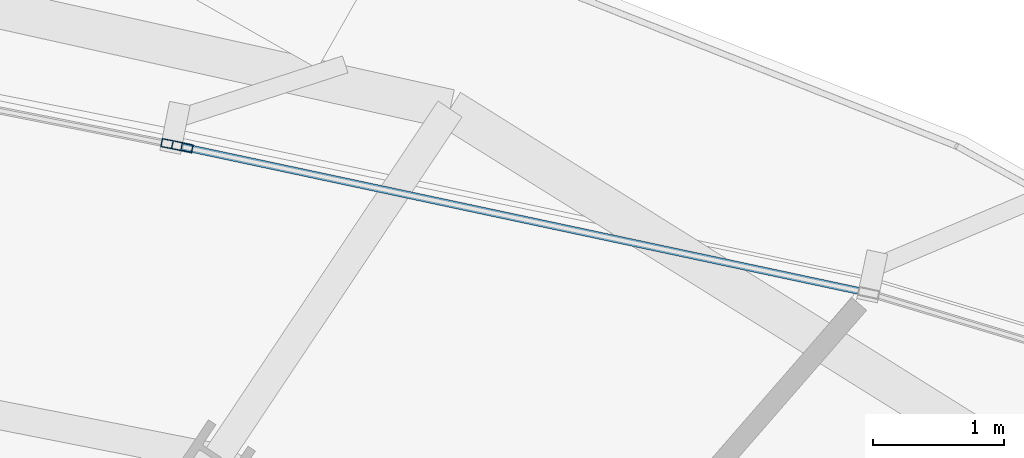
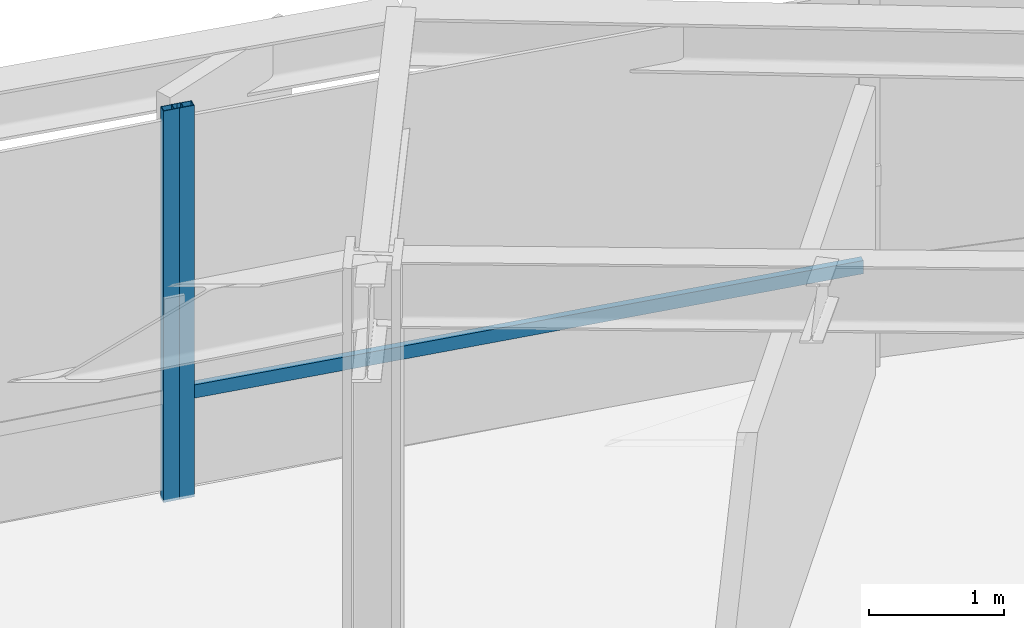
# One storey, part 23 of 37: 3 members, 2 elements without a shape of their own.
"""IFC4 building model written with IfcOpenShell, lengths in metres."""

from ifc_helpers import new_model, si_unit, direction, frame, origin, origin_2d, place, context, subcontext, project, spatial, hollow_rectangle, extrude, source, transform, mapped, material, layer, layer_set, material_profile, profile_set, type_object, element, aggregate, save


model = new_model("IFC4")

# Units and contexts
model_context = context("Model", 3, precision=1e-05, world=origin(), true_north=direction((0.0, 1.0)))
body_context = subcontext(model_context, "Body", "Model", "MODEL_VIEW")
ifc_project = project(units=[si_unit("LENGTHUNIT", "METRE"), si_unit("AREAUNIT", "SQUARE_METRE"), si_unit("VOLUMEUNIT", "CUBIC_METRE"), si_unit("PLANEANGLEUNIT", "RADIAN"), si_unit("MASSUNIT", "GRAM", prefix="KILO"), si_unit("THERMODYNAMICTEMPERATUREUNIT", "KELVIN")], contexts=[model_context])

# Site, building, storey
site_placement = place(None, origin())
site = spatial("IfcSite", under=ifc_project, at=site_placement, CompositionType="ELEMENT")
building_placement = place(site_placement, origin())
building = spatial("IfcBuilding", under=site, at=building_placement, Name="Kethvar Cultural Tower", CompositionType="ELEMENT")
storey_placement = place(building_placement, frame((0.0, 0.0, 56.199951171875)))
storey = spatial("IfcBuildingStorey", under=building, at=storey_placement, Name="L13", CompositionType="ELEMENT", Elevation=56.199951171875)

# Curtain wall, member
ifc_material = material(Name="Aluminium 6063-T6", Category="aluminium")
ifc_layer = layer(ifc_material, 0.179931640625, Name="Aluminium 6063-T6", Category="aluminium")
ifc_layer_set = layer_set([ifc_layer], Name="Aluminium 6063-T6 (180 mm)")
curtain_wall_type = type_object("IfcCurtainWallType", Name="CW-SYS-02-Z1", PredefinedType="NOTDEFINED", material=ifc_layer_set)
curtain_wall_1_placement = place(storey_placement, origin())
curtain_wall_1 = element("IfcCurtainWall", 1, at=curtain_wall_1_placement, inside=storey, type_object=curtain_wall_type, Name="L13 Curtain Wall Run 01", PredefinedType="NOTDEFINED")
ifc_material_profile_1 = material_profile(ifc_material, hollow_rectangle(XDim=0.06494140625, YDim=0.159912109375, WallThickness=0.0048828125, at=origin_2d()), Name="Aluminium 6063-T6 — RHS160x65x5")
ifc_profile_set_1 = profile_set([ifc_material_profile_1], Name="Aluminium 6063-T6 — RHS160x65x5")
member_type_1 = type_object("IfcMemberType", Name="CW-SYS-02-Z1-MUL", PredefinedType="MULLION", material=ifc_profile_set_1)
shared_shape_1 = source(origin(), body_context, "Body", "SweptSolid", [
    extrude(hollow_rectangle(XDim=0.06494140625, YDim=0.159912109375, WallThickness=0.0048828125, at=origin_2d()), origin(), (0.0, 0.0, 1.0), 3.550048828125),
])
member_1_placement = place(storey_placement, frame((59.56103515625, 49.66650390625, 0.0), z_axis=(0.0, 0.0, 1.0), x_axis=(-0.208372608913, -0.978049516055, 0.0)))
member_1 = element("IfcMember", 2, at=member_1_placement, type_object=member_type_1, Name="CW-L13-R01 Mullion 7", PredefinedType="MULLION", context=body_context, shape_type="MappedRepresentation", body=[
    mapped(shared_shape_1, transform((0.0, 0.0, 0.0), scale=1.0)),
])

curtain_wall_2_placement = place(storey_placement, origin())
curtain_wall_2 = element("IfcCurtainWall", 3, at=curtain_wall_2_placement, inside=storey, type_object=curtain_wall_type, Name="L13 Curtain Wall Run 02", PredefinedType="NOTDEFINED")
member_2_placement = place(storey_placement, frame((59.47998046875, 49.68310546875, 0.0), z_axis=(0.0, 0.0, 1.0), x_axis=(-0.194337075538, -0.980934809797, 0.0)))
member_2 = element("IfcMember", 4, at=member_2_placement, type_object=member_type_1, Name="CW-L13-R02 Mullion 1", PredefinedType="MULLION", context=body_context, shape_type="MappedRepresentation", body=[
    mapped(shared_shape_1, transform((0.0, 0.0, 0.0), scale=1.0)),
])
aggregate(curtain_wall_2, [member_2])

# Member
ifc_material_profile_2 = material_profile(ifc_material, hollow_rectangle(XDim=0.054931640625, YDim=0.1201171875, WallThickness=0.00390625, at=origin_2d()), Name="Aluminium 6063-T6 — RHS120x55x4")
ifc_profile_set_2 = profile_set([ifc_material_profile_2], Name="Aluminium 6063-T6 — RHS120x55x4")
member_type_2 = type_object("IfcMemberType", Name="CW-SYS-02-Z1-TRN", PredefinedType="USERDEFINED", material=ifc_profile_set_2)
shared_shape_2 = source(origin(), body_context, "Body", "SweptSolid", [
    extrude(hollow_rectangle(XDim=0.054931640625, YDim=0.1201171875, WallThickness=0.00390625, at=origin_2d()), origin(), (0.0, 0.0, 1.0), 5.300537109375),
])
member_3_placement = place(storey_placement, frame((64.749755859375, 48.56103515625, 0.949951171875), z_axis=(-0.978048440778, 0.208377655933, 0.0), x_axis=(-0.208377655933, -0.978048440778, 0.0)))
member_3 = element("IfcMember", 5, at=member_3_placement, type_object=member_type_2, Name="CW-L13-R01 Transom 6", ObjectType="TRANSOM", PredefinedType="USERDEFINED", context=body_context, shape_type="MappedRepresentation", body=[
    mapped(shared_shape_2, transform((0.0, 0.0, 0.0), scale=1.0)),
])

aggregate(curtain_wall_1, [member_1, member_3])

save(model, "model.ifc")
